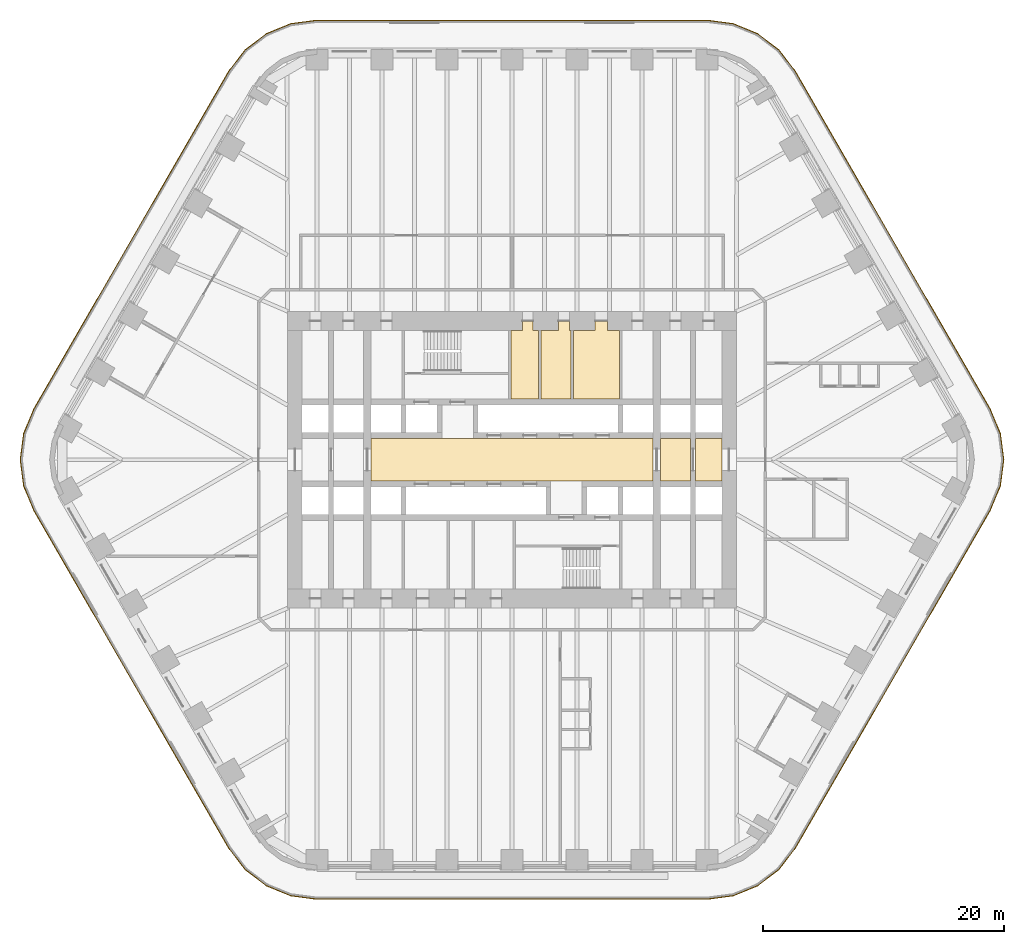
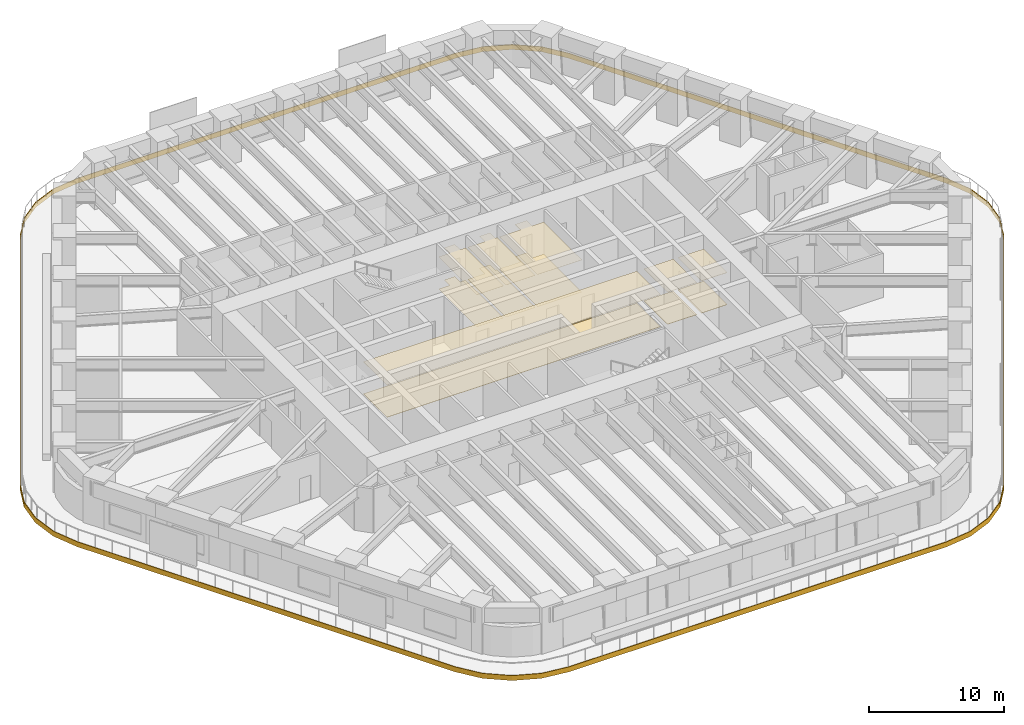
# One storey, part 23 of 24: 13 coverings.
"""IFC4 building model written with IfcOpenShell, lengths in metres."""

from ifc_helpers import new_model, si_unit, direction, frame, origin, place, context, subcontext, project, spatial, polyline, outline, extrude, material, layer, layer_set, type_object, element, save


model = new_model("IFC4")

# Units and contexts
model_context = context("Model", 3, precision=1e-05, world=origin(), true_north=direction((0.0, 1.0)))
body_context = subcontext(model_context, "Body", "Model", "MODEL_VIEW")
ifc_project = project(units=[si_unit("LENGTHUNIT", "METRE"), si_unit("AREAUNIT", "SQUARE_METRE"), si_unit("VOLUMEUNIT", "CUBIC_METRE"), si_unit("PLANEANGLEUNIT", "RADIAN"), si_unit("MASSUNIT", "GRAM", prefix="KILO")], contexts=[model_context])

# Site, building, storey
site_placement = place(None, origin())
site = spatial("IfcSite", under=ifc_project, at=site_placement, CompositionType="ELEMENT")
building_placement = place(site_placement, origin())
building = spatial("IfcBuilding", under=site, at=building_placement, Name="Tarfa Lantern Tower", CompositionType="ELEMENT")
storey_placement = place(building_placement, frame((0.0, 0.0, 90.699951171875)))
storey = spatial("IfcBuildingStorey", under=building, at=storey_placement, Name="L20", CompositionType="ELEMENT", Elevation=90.699951171875)

# Coverings
ifc_material_1 = material(Name="Moisture-resistant plasterboard", Category="finish")
ifc_layer_1 = layer(ifc_material_1, 0.014892578125)
ifc_layer_set_1 = layer_set([ifc_layer_1], Name="CL2 MOISTURE-RESISTANT PLASTERBOARD CEILING 15")
covering_type_1 = type_object("IfcCoveringType", Name="CL2 MOISTURE-RESISTANT PLASTERBOARD CEILING 15", PredefinedType="CEILING", material=ifc_layer_set_1)
covering_1_placement = place(storey_placement, frame((0.0, 0.0, 2.900146484375)))
element("IfcCovering", 1, at=covering_1_placement, inside=storey, type_object=covering_type_1, Name="Ceiling L20-09", PredefinedType="CEILING", context=body_context, shape_type="SweptSolid", body=[
    extrude(outline(polyline([(0.85009765625, 10.699951171875), (-0.10009765625, 10.699951171875), (-0.10009765625, 5.050048828125), (2.199951171875, 5.050048828125), (2.199951171875, 10.699951171875), (1.75, 10.699951171875), (1.75, 11.5), (0.85009765625, 11.5), (0.85009765625, 10.699951171875)])), origin(), (0.0, 0.0, 1.0), 0.014892578125),
])
covering_2_placement = place(storey_placement, frame((0.0, 0.0, 2.900146484375)))
element("IfcCovering", 2, at=covering_2_placement, inside=storey, type_object=covering_type_1, Name="Ceiling L20-10", PredefinedType="CEILING", context=body_context, shape_type="SweptSolid", body=[
    extrude(outline(polyline([(2.39990234375, 5.050048828125), (4.89990234375, 5.050048828125), (4.89990234375, 10.699951171875), (4.75, 10.699951171875), (4.75, 11.5), (3.85009765625, 11.5), (3.85009765625, 10.699951171875), (2.39990234375, 10.699951171875), (2.39990234375, 5.050048828125)])), origin(), (0.0, 0.0, 1.0), 0.014892578125),
])
covering_3_placement = place(storey_placement, frame((0.0, 0.0, 2.900146484375)))
element("IfcCovering", 3, at=covering_3_placement, inside=storey, type_object=covering_type_1, Name="Ceiling L20-11", PredefinedType="CEILING", context=body_context, shape_type="SweptSolid", body=[
    extrude(outline(polyline([(5.10009765625, 5.050048828125), (8.89990234375, 5.050048828125), (8.89990234375, 10.699951171875), (7.89990234375, 10.699951171875), (7.89990234375, 11.5), (6.89990234375, 11.5), (6.89990234375, 10.699951171875), (5.10009765625, 10.699951171875), (5.10009765625, 5.050048828125)])), origin(), (0.0, 0.0, 1.0), 0.014892578125),
])
ifc_material_2 = material(Name="Powder-coated aluminium panel", Category="aluminium")
ifc_layer_2 = layer(ifc_material_2, 0.030029296875)
ifc_layer_set_2 = layer_set([ifc_layer_2], Name="CL3 METAL PANEL CEILING 30")
covering_type_2 = type_object("IfcCoveringType", Name="CL3 METAL PANEL CEILING 30", PredefinedType="CEILING", material=ifc_layer_set_2)
covering_4_placement = place(storey_placement, frame((0.0, 0.0, 2.900146484375)))
element("IfcCovering", 4, at=covering_4_placement, inside=storey, type_object=covering_type_2, Name="Ceiling L20-03", PredefinedType="CEILING", context=body_context, shape_type="SweptSolid", body=[
    extrude(outline(polyline([(-11.699951171875, -1.75), (11.699951171875, -1.75), (11.699951171875, 1.75), (-11.699951171875, 1.75), (-11.699951171875, -1.75)])), origin(), (0.0, 0.0, 1.0), 0.02978515625),
])
covering_5_placement = place(storey_placement, frame((0.0, 0.0, 2.900146484375)))
element("IfcCovering", 5, at=covering_5_placement, inside=storey, type_object=covering_type_2, Name="Ceiling L20-04", PredefinedType="CEILING", context=body_context, shape_type="SweptSolid", body=[
    extrude(outline(polyline([(12.300048828125, -1.75), (14.800048828125, -1.75), (14.800048828125, 1.75), (12.300048828125, 1.75), (12.300048828125, -1.75)])), origin(), (0.0, 0.0, 1.0), 0.02978515625),
])
covering_6_placement = place(storey_placement, frame((0.0, 0.0, 2.900146484375)))
element("IfcCovering", 6, at=covering_6_placement, inside=storey, type_object=covering_type_2, Name="Ceiling L20-05", PredefinedType="CEILING", context=body_context, shape_type="SweptSolid", body=[
    extrude(outline(polyline([(15.199951171875, -1.75), (17.39990234375, -1.75), (17.39990234375, 1.75), (15.199951171875, 1.75), (15.199951171875, -1.75)])), origin(), (0.0, 0.0, 1.0), 0.02978515625),
])
ifc_material_3 = material(Name="Honed limestone flooring", Category="masonry")
ifc_layer_3 = layer(ifc_material_3, 0.030029296875)
ifc_layer_set_3 = layer_set([ifc_layer_3], Name="FL2 STONE FLOORING 30")
covering_type_3 = type_object("IfcCoveringType", Name="FL2 STONE FLOORING 30", PredefinedType="FLOORING", material=ifc_layer_set_3)
covering_7_placement = place(storey_placement, origin())
element("IfcCovering", 7, at=covering_7_placement, inside=storey, type_object=covering_type_3, Name="Floor finish L20-03", PredefinedType="FLOORING", context=body_context, shape_type="SweptSolid", body=[
    extrude(outline(polyline([(-11.699951171875, -1.75), (11.699951171875, -1.75), (11.699951171875, 1.75), (-11.699951171875, 1.75), (-11.699951171875, -1.75)])), origin(), (0.0, 0.0, 1.0), 0.030029296875),
])
covering_8_placement = place(storey_placement, origin())
element("IfcCovering", 8, at=covering_8_placement, inside=storey, type_object=covering_type_3, Name="Floor finish L20-04", PredefinedType="FLOORING", context=body_context, shape_type="SweptSolid", body=[
    extrude(outline(polyline([(12.300048828125, -1.75), (14.800048828125, -1.75), (14.800048828125, 1.75), (12.300048828125, 1.75), (12.300048828125, -1.75)])), origin(), (0.0, 0.0, 1.0), 0.030029296875),
])
covering_9_placement = place(storey_placement, origin())
element("IfcCovering", 9, at=covering_9_placement, inside=storey, type_object=covering_type_3, Name="Floor finish L20-05", PredefinedType="FLOORING", context=body_context, shape_type="SweptSolid", body=[
    extrude(outline(polyline([(15.199951171875, -1.75), (17.39990234375, -1.75), (17.39990234375, 1.75), (15.199951171875, 1.75), (15.199951171875, -1.75)])), origin(), (0.0, 0.0, 1.0), 0.030029296875),
])
ifc_material_4 = material(Name="Porcelain floor tile", Category="finish")
ifc_layer_4 = layer(ifc_material_4, 0.011962890625)
ifc_layer_set_4 = layer_set([ifc_layer_4], Name="FL3 CERAMIC TILE 12")
covering_type_4 = type_object("IfcCoveringType", Name="FL3 CERAMIC TILE 12", PredefinedType="FLOORING", material=ifc_layer_set_4)
covering_10_placement = place(storey_placement, origin())
element("IfcCovering", 10, at=covering_10_placement, inside=storey, type_object=covering_type_4, Name="Floor finish L20-09", PredefinedType="FLOORING", context=body_context, shape_type="SweptSolid", body=[
    extrude(outline(polyline([(0.85009765625, 10.699951171875), (-0.10009765625, 10.699951171875), (-0.10009765625, 5.050048828125), (2.199951171875, 5.050048828125), (2.199951171875, 10.699951171875), (1.75, 10.699951171875), (1.75, 11.5), (0.85009765625, 11.5), (0.85009765625, 10.699951171875)])), origin(), (0.0, 0.0, 1.0), 0.011962890625),
])
covering_11_placement = place(storey_placement, origin())
element("IfcCovering", 11, at=covering_11_placement, inside=storey, type_object=covering_type_4, Name="Floor finish L20-10", PredefinedType="FLOORING", context=body_context, shape_type="SweptSolid", body=[
    extrude(outline(polyline([(2.39990234375, 5.050048828125), (4.89990234375, 5.050048828125), (4.89990234375, 10.699951171875), (4.75, 10.699951171875), (4.75, 11.5), (3.85009765625, 11.5), (3.85009765625, 10.699951171875), (2.39990234375, 10.699951171875), (2.39990234375, 5.050048828125)])), origin(), (0.0, 0.0, 1.0), 0.011962890625),
])
covering_12_placement = place(storey_placement, origin())
element("IfcCovering", 12, at=covering_12_placement, inside=storey, type_object=covering_type_4, Name="Floor finish L20-11", PredefinedType="FLOORING", context=body_context, shape_type="SweptSolid", body=[
    extrude(outline(polyline([(5.10009765625, 5.050048828125), (8.89990234375, 5.050048828125), (8.89990234375, 10.699951171875), (7.89990234375, 10.699951171875), (7.89990234375, 11.5), (6.89990234375, 11.5), (6.89990234375, 10.699951171875), (5.10009765625, 10.699951171875), (5.10009765625, 5.050048828125)])), origin(), (0.0, 0.0, 1.0), 0.011962890625),
])
ifc_material_5 = material(Name="Limestone cladding on brackets", Category="masonry")
ifc_layer_5 = layer(ifc_material_5, 0.050048828125)
ifc_layer_set_5 = layer_set([ifc_layer_5], Name="SB1 STONE BAND CLADDING 50")
covering_type_5 = type_object("IfcCoveringType", Name="SB1 STONE BAND CLADDING 50", PredefinedType="CLADDING", material=ifc_layer_set_5)
covering_13_placement = place(storey_placement, frame((0.0, 0.0, -0.39990234375)))
element("IfcCovering", 13, at=covering_13_placement, inside=storey, type_object=covering_type_5, Name="Stone band", PredefinedType="CLADDING", context=body_context, shape_type="SweptSolid", body=[
    extrude(outline(polyline([(39.6494140625, 4.22509765625), (23.483642578125, 32.22509765625), (22.140869140625, 33.97509765625), (20.390869140625, 35.31787109375), (18.352783203125, 36.162109375), (16.165771484375, 36.449951171875), (-16.165771484375, 36.449951171875), (-18.352783203125, 36.162109375), (-20.390869140625, 35.31787109375), (-22.140869140625, 33.97509765625), (-23.483642578125, 32.22509765625), (-39.6494140625, 4.22509765625), (-40.49365234375, 2.18701171875), (-40.781494140625, 0.0), (-40.49365234375, -2.18701171875), (-39.6494140625, -4.22509765625), (-23.483642578125, -32.22509765625), (-22.140869140625, -33.97509765625), (-20.390869140625, -35.31787109375), (-18.352783203125, -36.162109375), (-16.165771484375, -36.449951171875), (16.165771484375, -36.449951171875), (18.352783203125, -36.162109375), (20.390869140625, -35.31787109375), (22.140869140625, -33.97509765625), (23.483642578125, -32.22509765625), (39.6494140625, -4.22509765625), (40.49365234375, -2.18701171875), (40.781494140625, 0.0), (40.49365234375, 2.18701171875), (39.6494140625, 4.22509765625)]), holes=[polyline([(39.606201171875, 4.199951171875), (23.4404296875, 32.199951171875), (22.10546875, 33.939697265625), (20.36572265625, 35.274658203125), (18.33984375, 36.11376953125), (16.165771484375, 36.39990234375), (-16.165771484375, 36.39990234375), (-18.33984375, 36.11376953125), (-20.36572265625, 35.274658203125), (-22.10546875, 33.939697265625), (-23.4404296875, 32.199951171875), (-39.606201171875, 4.199951171875), (-40.4453125, 2.174072265625), (-40.731689453125, 0.0), (-40.4453125, -2.174072265625), (-39.606201171875, -4.199951171875), (-23.4404296875, -32.199951171875), (-22.10546875, -33.939697265625), (-20.36572265625, -35.274658203125), (-18.33984375, -36.11376953125), (-16.165771484375, -36.39990234375), (16.165771484375, -36.39990234375), (18.33984375, -36.11376953125), (20.36572265625, -35.274658203125), (22.10546875, -33.939697265625), (23.4404296875, -32.199951171875), (39.606201171875, -4.199951171875), (40.4453125, -2.174072265625), (40.731689453125, 0.0), (40.4453125, 2.174072265625), (39.606201171875, 4.199951171875)])]), origin(), (0.0, 0.0, 1.0), 0.449951171875),
])

save(model, "model.ifc")
